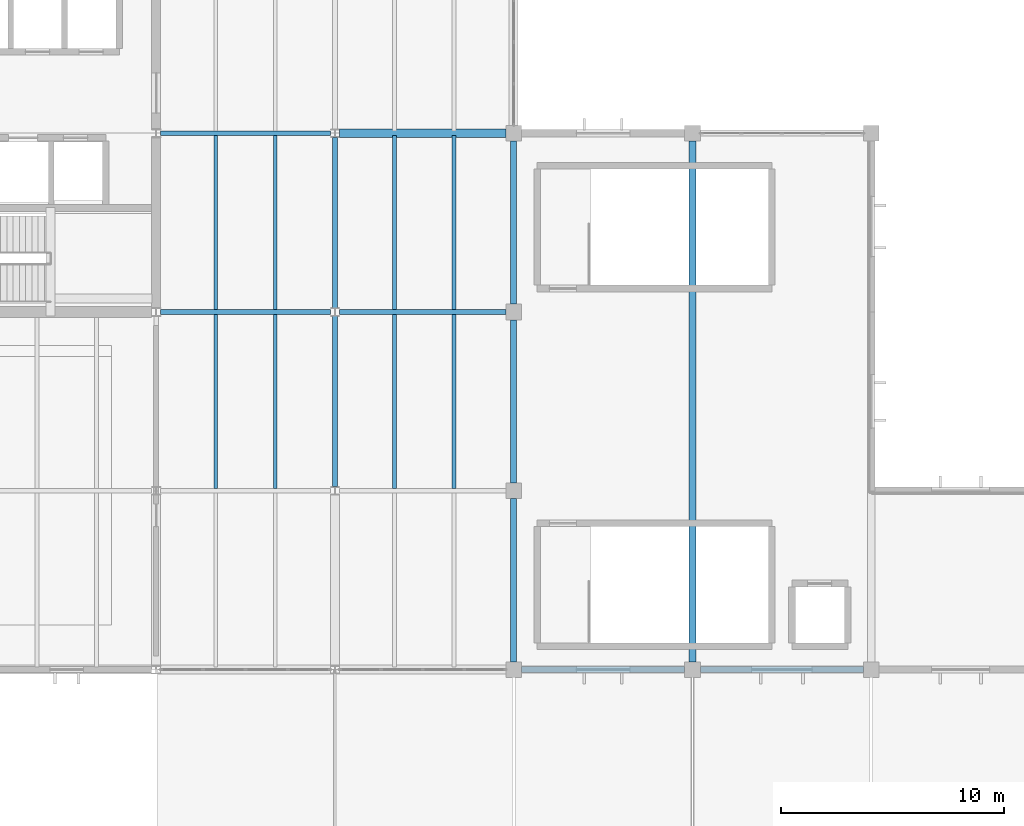
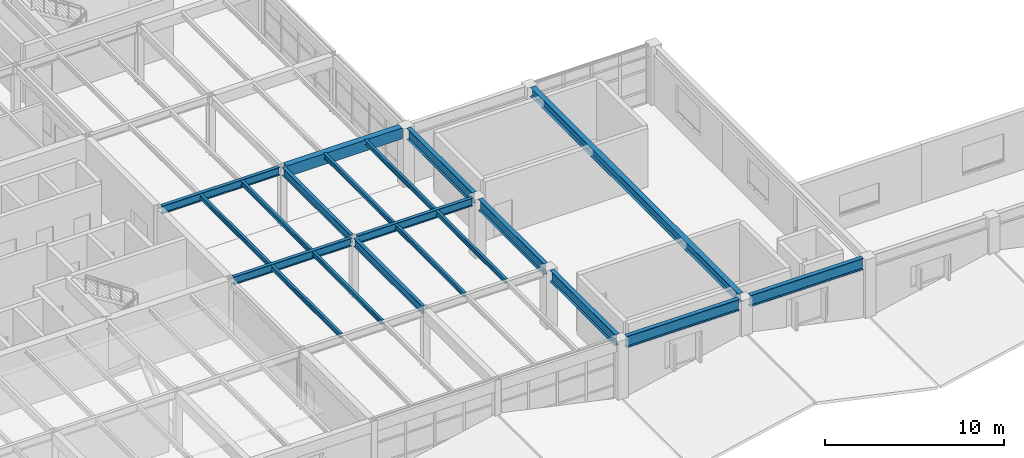
# One storey, part 11 of 48: 20 beams.
"""IFC4 building model written with IfcOpenShell, lengths in metres."""

from ifc_helpers import new_model, si_unit, direction, frame, origin, origin_2d, place, context, subcontext, project, spatial, rectangle, i_section, extrude, material, material_profile, profile_set, type_object, element, save


model = new_model("IFC4")

# Units and contexts
model_context = context("Model", 3, precision=1e-05, world=origin(), true_north=direction((0.0, 1.0)))
body_context = subcontext(model_context, "Body", "Model", "MODEL_VIEW")
ifc_project = project(units=[si_unit("LENGTHUNIT", "METRE"), si_unit("AREAUNIT", "SQUARE_METRE"), si_unit("VOLUMEUNIT", "CUBIC_METRE"), si_unit("PLANEANGLEUNIT", "RADIAN"), si_unit("MASSUNIT", "GRAM", prefix="KILO")], contexts=[model_context])

# Site, building, storey
site_placement = place(None, origin())
site = spatial("IfcSite", under=ifc_project, at=site_placement, CompositionType="ELEMENT")
building_placement = place(site_placement, origin())
building = spatial("IfcBuilding", under=site, at=building_placement, Name="Varnela Railside Interchange", CompositionType="ELEMENT")
storey_placement = place(building_placement, frame((0.0, 0.0, 11.199951171875)))
storey = spatial("IfcBuildingStorey", under=building, at=storey_placement, Name="L02", CompositionType="ELEMENT", Elevation=11.199951171875)

# Beams
ifc_material_1 = material(Name="Steel AR 350 (350 MPa)", Category="steel")
ifc_material_profile_1 = material_profile(ifc_material_1, i_section(OverallWidth=0.323974609375, OverallDepth=0.611083984375, WebThickness=0.0126953125, FlangeThickness=0.01904296875, at=origin_2d()), Name="W610x155")
ifc_profile_set_1 = profile_set([ifc_material_profile_1], Name="Steel AR 350 (350 MPa)")
beam_type_1 = type_object("IfcBeamType", Name="Auditorium Roof Girder B-14", PredefinedType="BEAM", material=ifc_profile_set_1)
beam_1_placement = place(storey_placement, frame((60.0, 38.35009765625, 3.694580078125), z_axis=(0.0, 1.0, 0.0), x_axis=(-1.0, 0.0, 0.0)))
element("IfcBeam", 1, at=beam_1_placement, inside=storey, type_object=beam_type_1, Name="Auditorium Roof Girder B-14 (L02) (BM-2096)", PredefinedType="BEAM", context=body_context, shape_type="SweptSolid", body=[
    extrude(i_section(OverallWidth=0.323974609375, OverallDepth=0.611083984375, WebThickness=0.0126953125, FlangeThickness=0.01904296875, at=origin_2d()), origin(), (0.0, 0.0, 1.0), 23.2998046875),
])
ifc_material_profile_2 = material_profile(ifc_material_1, i_section(OverallWidth=0.2109375, OverallDepth=0.5390625, WebThickness=0.01171875, FlangeThickness=0.018798828125, at=origin_2d()), Name="W530x109")
ifc_profile_set_2 = profile_set([ifc_material_profile_2], Name="Steel AR 350 (350 MPa)")
beam_type_2 = type_object("IfcBeamType", Name="Composite Girder B-17", PredefinedType="BEAM", material=ifc_profile_set_2)
for number, where, z_axis, x_axis, name in (
    (2, (44.0, 46.1875, 3.73046875), (0.0, 1.0, 0.0), (-1.0, 0.0, 0.0), "Composite Girder B-17 (L02) (BM-2084)"),
    (3, (44.0, 54.1875, 3.73046875), (0.0, 1.0, 0.0), (-1.0, 0.0, 0.0), "Composite Girder B-17 (L02) (BM-2085)"),
):
    element("IfcBeam", number, at=place(storey_placement, frame(where, z_axis=z_axis, x_axis=x_axis)), inside=storey, type_object=beam_type_2, Name=name, PredefinedType="BEAM", context=body_context, shape_type="SweptSolid", body=[
        extrude(i_section(OverallWidth=0.2109375, OverallDepth=0.5390625, WebThickness=0.01171875, FlangeThickness=0.018798828125, at=origin_2d()), origin(), (0.0, 0.0, 1.0), 7.625),
    ])
ifc_material_profile_3 = material_profile(ifc_material_1, i_section(OverallWidth=0.2119140625, OverallDepth=0.5439453125, WebThickness=0.01318359375, FlangeThickness=0.021240234375, at=origin_2d()), Name="W530x123")
ifc_profile_set_3 = profile_set([ifc_material_profile_3], Name="Steel AR 350 (350 MPa)")
beam_type_3 = type_object("IfcBeamType", Name="Composite Heavy Girder B-16", PredefinedType="BEAM", material=ifc_profile_set_3)
beam_2_placement = place(storey_placement, frame((36.198974609375, 54.0, 3.72802734375), z_axis=(1.0, 0.0, 0.0), x_axis=(0.0, 1.0, 0.0)))
element("IfcBeam", 4, at=beam_2_placement, inside=storey, type_object=beam_type_3, Name="Composite Heavy Girder B-16 (L02) (BM-1970)", PredefinedType="BEAM", context=body_context, shape_type="SweptSolid", body=[
    extrude(i_section(OverallWidth=0.2119140625, OverallDepth=0.5439453125, WebThickness=0.01318359375, FlangeThickness=0.021240234375, at=origin_2d()), origin(), (0.0, 0.0, 1.0), 7.60400390625),
])
beam_3_placement = place(storey_placement, frame((44.197021484375, 54.0, 3.72802734375), z_axis=(1.0, 0.0, 0.0), x_axis=(0.0, 1.0, 0.0)))
element("IfcBeam", 5, at=beam_3_placement, inside=storey, type_object=beam_type_3, Name="Composite Heavy Girder B-16 (L02) (BM-1971)", PredefinedType="BEAM", context=body_context, shape_type="SweptSolid", body=[
    extrude(i_section(OverallWidth=0.2119140625, OverallDepth=0.5439453125, WebThickness=0.01318359375, FlangeThickness=0.021240234375, at=origin_2d()), origin(), (0.0, 0.0, 1.0), 7.452880859375),
])
beam_4_placement = place(storey_placement, frame((36.198974609375, 62.0, 3.72802734375), z_axis=(1.0, 0.0, 0.0), x_axis=(0.0, 1.0, 0.0)))
element("IfcBeam", 6, at=beam_4_placement, inside=storey, type_object=beam_type_3, Name="Composite Heavy Girder B-16 (L02) (BM-1981)", PredefinedType="BEAM", context=body_context, shape_type="SweptSolid", body=[
    extrude(i_section(OverallWidth=0.2119140625, OverallDepth=0.5439453125, WebThickness=0.01318359375, FlangeThickness=0.021240234375, at=origin_2d()), origin(), (0.0, 0.0, 1.0), 7.60400390625),
])
ifc_material_profile_4 = material_profile(ifc_material_1, i_section(OverallWidth=0.1669921875, OverallDepth=0.31689453125, WebThickness=0.007568359375, FlangeThickness=0.01318359375, at=origin_2d()), Name="W310x52")
ifc_profile_set_4 = profile_set([ifc_material_profile_4], Name="Steel AR 350 (350 MPa)")
beam_type_4 = type_object("IfcBeamType", Name="Composite Long-Span Joist J-03", PredefinedType="JOIST", material=ifc_profile_set_4)
for number, where, z_axis, x_axis, name in (
    (7, (38.669921875, 46.10595703125, 3.841552734375), (0.0, 1.0, 0.0), (-1.0, 0.0, 0.0), "Composite Long-Span Joist J-03 (L02) (BM-1910)"),
    (8, (41.330078125, 46.10595703125, 3.841552734375), (0.0, 1.0, 0.0), (-1.0, 0.0, 0.0), "Composite Long-Span Joist J-03 (L02) (BM-1911)"),
    (9, (38.669921875, 54.10595703125, 3.841552734375), (0.0, 1.0, 0.0), (-1.0, 0.0, 0.0), "Composite Long-Span Joist J-03 (L02) (BM-1912)"),
    (10, (41.330078125, 54.10595703125, 3.841552734375), (0.0, 1.0, 0.0), (-1.0, 0.0, 0.0), "Composite Long-Span Joist J-03 (L02) (BM-1913)"),
    (11, (46.669921875, 46.10595703125, 3.841552734375), (0.0, 1.0, 0.0), (-1.0, 0.0, 0.0), "Composite Long-Span Joist J-03 (L02) (BM-1923)"),
    (12, (49.330078125, 46.10595703125, 3.841552734375), (0.0, 1.0, 0.0), (-1.0, 0.0, 0.0), "Composite Long-Span Joist J-03 (L02) (BM-1924)"),
    (13, (46.669921875, 54.10595703125, 3.841552734375), (0.0, 1.0, 0.0), (-1.0, 0.0, 0.0), "Composite Long-Span Joist J-03 (L02) (BM-1925)"),
    (14, (49.330078125, 54.10595703125, 3.841552734375), (0.0, 1.0, 0.0), (-1.0, 0.0, 0.0), "Composite Long-Span Joist J-03 (L02) (BM-1926)"),
):
    element("IfcBeam", number, at=place(storey_placement, frame(where, z_axis=z_axis, x_axis=x_axis)), inside=storey, type_object=beam_type_4, Name=name, PredefinedType="JOIST", context=body_context, shape_type="SweptSolid", body=[
        extrude(i_section(OverallWidth=0.1669921875, OverallDepth=0.31689453125, WebThickness=0.007568359375, FlangeThickness=0.01318359375, at=origin_2d()), origin(), (0.0, 0.0, 1.0), 7.7880859375),
    ])
ifc_material_profile_5 = material_profile(ifc_material_1, i_section(OverallWidth=0.26806640625, OverallDepth=0.77001953125, WebThickness=0.015625, FlangeThickness=0.025390625, at=origin_2d()), Name="W760x196")
ifc_profile_set_5 = profile_set([ifc_material_profile_5], Name="Steel AR 350 (350 MPa)")
beam_type_5 = type_object("IfcBeamType", Name="Concourse Compression Ring Beam RB-01", PredefinedType="BEAM", material=ifc_profile_set_5)
for number, where, z_axis, x_axis, name in (
    (15, (52.35009765625, 38.0, 3.614990234375), (1.0, 0.0, 0.0), (0.0, 1.0, 0.0), "Concourse Compression Ring Beam RB-01 (L02) (BM-1946)"),
    (16, (60.35009765625, 38.0, 3.614990234375), (1.0, 0.0, 0.0), (0.0, 1.0, 0.0), "Concourse Compression Ring Beam RB-01 (L02) (BM-1947)"),
    (17, (52.0, 38.35009765625, 3.614990234375), (0.0, 1.0, 0.0), (-1.0, 0.0, 0.0), "Concourse Compression Ring Beam RB-01 (L02) (BM-2089)"),
    (18, (52.0, 46.35009765625, 3.614990234375), (0.0, 1.0, 0.0), (-1.0, 0.0, 0.0), "Concourse Compression Ring Beam RB-01 (L02) (BM-2090)"),
    (19, (52.0, 54.35009765625, 3.614990234375), (0.0, 1.0, 0.0), (-1.0, 0.0, 0.0), "Concourse Compression Ring Beam RB-01 (L02) (BM-2091)"),
):
    element("IfcBeam", number, at=place(storey_placement, frame(where, z_axis=z_axis, x_axis=x_axis)), inside=storey, type_object=beam_type_5, Name=name, PredefinedType="BEAM", context=body_context, shape_type="SweptSolid", body=[
        extrude(i_section(OverallWidth=0.26806640625, OverallDepth=0.77001953125, WebThickness=0.015625, FlangeThickness=0.025390625, at=origin_2d()), origin(), (0.0, 0.0, 1.0), 7.2998046875),
    ])
ifc_material_2 = material(Name="Concrete C40 precast", Category="concrete")
ifc_material_profile_6 = material_profile(ifc_material_2, rectangle(XDim=0.39990234375, YDim=0.75, at=origin_2d()), Name="PC 400x750")
ifc_profile_set_6 = profile_set([ifc_material_profile_6], Name="Concrete C40 precast")
beam_type_6 = type_object("IfcBeamType", Name="Precast Facade Spandrel SP-03", PredefinedType="SPANDREL", material=ifc_profile_set_6)
beam_5_placement = place(storey_placement, frame((44.197021484375, 62.0, 3.625), z_axis=(1.0, 0.0, 0.0), x_axis=(0.0, 1.0, 0.0)))
element("IfcBeam", 20, at=beam_5_placement, inside=storey, type_object=beam_type_6, Name="Precast Facade Spandrel SP-03 (L02) (BM-1982)", PredefinedType="SPANDREL", context=body_context, shape_type="SweptSolid", body=[
    extrude(rectangle(XDim=0.39990234375, YDim=0.75, at=origin_2d()), origin(), (0.0, 0.0, 1.0), 7.452880859375),
])

save(model, "model.ifc")
